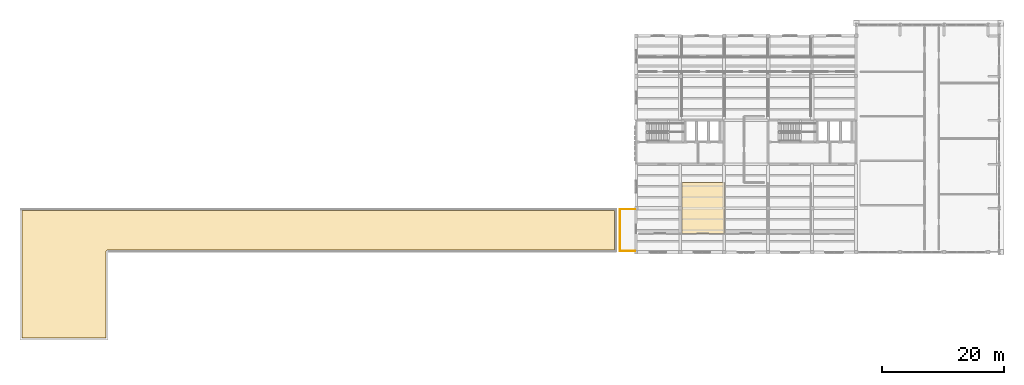
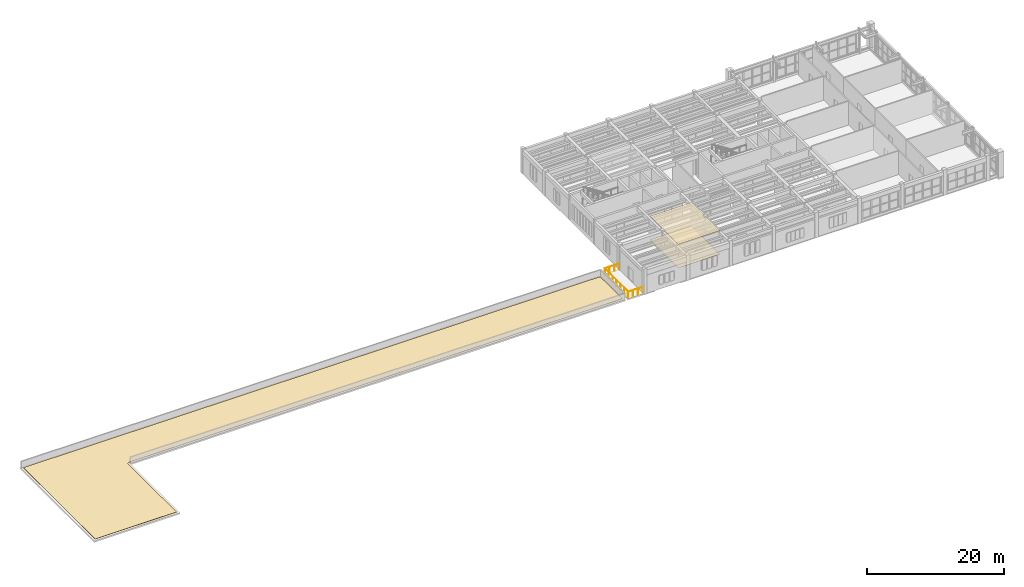
# One storey, part 16 of 18: 3 coverings, 3 railings.
"""IFC4 building model written with IfcOpenShell, lengths in metres."""

import ifcopenshell
import ifcopenshell.guid

model = None  # the IFC model being written
_history = None  # IfcOwnerHistory: only IFC2X3 demands one
_inside = {}  # id of a spatial element -> (the spatial element, [elements in it])
_under = {}  # id of a project, library or spatial element -> (it, [spatial elements below it])
_declared = {}  # id of a project -> (the project, [libraries it declares])
_typed = {}  # id of a type object -> (the type object, [elements of that type])
_made_of = {}  # id of a material, layer set ... -> (it, [elements and type objects made of it])


def new_model(schema):
    """Start an empty IFC model of exactly this schema.

    Asked for "IFC4X3", IfcOpenShell would pick the latest addendum, in which some entities
    have other attributes; the version numbers below select the first issue.
    IFC2X3 requires an IfcOwnerHistory on every rooted entity: one is made here for all.
    """
    global model, _history
    if schema == "IFC4X3":
        model = ifcopenshell.file(schema_version=(4, 3, 0, 0))
    else:
        model = ifcopenshell.file(schema=schema)
    _inside.clear()
    _under.clear()
    _declared.clear()
    _typed.clear()
    _made_of.clear()
    _history = None
    if model.schema == "IFC2X3":
        org = make("IfcOrganization", Name="unknown")
        user = make(
            "IfcPersonAndOrganization",
            ThePerson=make("IfcPerson", FamilyName="unknown"),
            TheOrganization=org,
        )
        app = make(
            "IfcApplication",
            ApplicationDeveloper=org,
            Version="unknown",
            ApplicationFullName="unknown",
            ApplicationIdentifier="unknown",
        )
        _history = make(
            "IfcOwnerHistory",
            OwningUser=user,
            OwningApplication=app,
            ChangeAction="ADDED",
            CreationDate=0,
        )
    return model


def make(cls, **values):
    """One entity of the class cls with the attributes given. An attribute that is None is left unset."""
    return model.create_entity(
        cls, **{name: value for name, value in values.items() if value is not None}
    )


def rooted(cls, **values):
    """An entity with a GlobalId (a new one), such as an element, a storey or a relation."""
    return make(cls, GlobalId=ifcopenshell.guid.new(), OwnerHistory=_history, **values)


def si_unit(unit_type, name, prefix=None):
    """IfcSIUnit, for example si_unit("LENGTHUNIT", "METRE", prefix="MILLI")."""
    return make("IfcSIUnit", UnitType=unit_type, Prefix=prefix, Name=name)


def assignment(units):
    """IfcUnitAssignment: the units of a project."""
    return None if units is None else make("IfcUnitAssignment", Units=units)


def point(xyz):
    """IfcCartesianPoint."""
    return None if xyz is None else make("IfcCartesianPoint", Coordinates=xyz)


def direction(xyz):
    """IfcDirection."""
    return None if xyz is None else make("IfcDirection", DirectionRatios=xyz)


def frame(location, z_axis=None, x_axis=None):
    """IfcAxis2Placement3D, a coordinate frame: its origin and axes. An axis left out is left unset."""
    return make(
        "IfcAxis2Placement3D",
        Location=point(location),
        Axis=direction(z_axis),
        RefDirection=direction(x_axis),
    )


def frame_2d(location, x_axis=None):
    """IfcAxis2Placement2D, a coordinate frame in the plane: its origin and x axis."""
    return make(
        "IfcAxis2Placement2D", Location=point(location), RefDirection=direction(x_axis)
    )


def origin():
    """The frame at (0, 0, 0) with its axes left unset."""
    return frame((0.0, 0.0, 0.0))


def origin_2d():
    """The frame at (0, 0) in the plane with its x axis left unset."""
    return frame_2d((0.0, 0.0))


def place(relative_to, where):
    """IfcLocalPlacement: puts the frame where relative to a parent placement (None: the world)."""
    return make(
        "IfcLocalPlacement", PlacementRelTo=relative_to, RelativePlacement=where
    )


def context(
    kind, dimensions, precision=None, world=None, true_north=None, identifier=None
):
    """IfcGeometricRepresentationContext, for example the 3D "Model" context."""
    return make(
        "IfcGeometricRepresentationContext",
        ContextIdentifier=identifier,
        ContextType=kind,
        CoordinateSpaceDimension=dimensions,
        Precision=precision,
        WorldCoordinateSystem=world,
        TrueNorth=true_north,
    )


def subcontext(parent, identifier, kind, view, scale=None):
    """IfcGeometricRepresentationSubContext, for example "Body" below "Model"."""
    return make(
        "IfcGeometricRepresentationSubContext",
        ContextIdentifier=identifier,
        ContextType=kind,
        ParentContext=parent,
        TargetScale=scale,
        TargetView=view,
    )


def project(units=None, contexts=None):
    """IfcProject with its units and contexts."""
    return rooted(
        "IfcProject",
        Name="project",
        RepresentationContexts=contexts,
        UnitsInContext=assignment(units),
    )


def spatial(cls, under=None, at=None, **own):
    """A site, building, storey or space (cls), placed at a placement, below another one or the project."""
    s = rooted(cls, ObjectPlacement=at, **own)
    if under is not None:
        _under.setdefault(under.id(), (under, []))[1].append(s)
    return s


def polyline(points):
    """IfcPolyline through the points."""
    return make("IfcPolyline", Points=[point(p) for p in points])


def profile(cls, at=None, kind="AREA", **sizes):
    """A parametric profile (cls). Its sizes go by their IFC names, for example OverallWidth=200.0."""
    return make(cls, ProfileType=kind, Position=at, **sizes)


def circle(**sizes):
    """IfcCircleProfileDef."""
    return profile("IfcCircleProfileDef", **sizes)


def outline(outer, holes=None, kind="AREA"):
    """IfcArbitraryClosedProfileDef: a profile drawn as a closed curve; with holes, ...WithVoids."""
    if holes is None:
        return make("IfcArbitraryClosedProfileDef", ProfileType=kind, OuterCurve=outer)
    return make(
        "IfcArbitraryProfileDefWithVoids",
        ProfileType=kind,
        OuterCurve=outer,
        InnerCurves=holes,
    )


def extrude(swept, where, along, depth):
    """IfcExtrudedAreaSolid: the profile swept, set in the frame where, extruded along a direction by depth."""
    return make(
        "IfcExtrudedAreaSolid",
        SweptArea=swept,
        Position=where,
        ExtrudedDirection=direction(along),
        Depth=depth,
    )


def shape(context_of_items, identifier, shape_type, items):
    """IfcShapeRepresentation: the items that make up one representation, for example the "Body"."""
    return make(
        "IfcShapeRepresentation",
        ContextOfItems=context_of_items,
        RepresentationIdentifier=identifier,
        RepresentationType=shape_type,
        Items=items,
    )


def material(Name=None, Category=None):
    """IfcMaterial."""
    return make("IfcMaterial", Name=Name, Category=Category)


def layer(
    of_material, thickness, ventilated=None, Name=None, Category=None, Priority=None
):
    """IfcMaterialLayer: one layer of a wall or slab, of a material (None: an air gap)."""
    return make(
        "IfcMaterialLayer",
        Material=of_material,
        LayerThickness=thickness,
        IsVentilated=ventilated,
        Name=Name,
        Category=Category,
        Priority=Priority,
    )


def layer_set(layers, Name=None):
    """IfcMaterialLayerSet."""
    return make("IfcMaterialLayerSet", MaterialLayers=layers, LayerSetName=Name)


def made_of(thing, what):
    """Note that an element or type object is made of a material, layer set ...; save() writes the relation."""
    if what is not None:
        _made_of.setdefault(what.id(), (what, []))[1].append(thing)
    return thing


def type_object(cls, material=None, **own):
    """A type object (cls), such as IfcWallType, which elements share."""
    return made_of(rooted(cls, **own), material)


def element(
    cls,
    number,
    at=None,
    inside=None,
    cuts=None,
    type_object=None,
    material=None,
    context=None,
    identifier="Body",
    shape_type=None,
    held_by="IfcProductDefinitionShape",
    body=None,
    shapes=None,
    **own,
):
    """One element of the class cls, such as IfcWall. Its Tag is "e" and its number.

    at: its placement. inside: the storey or other place that contains it. cuts: it is an
    opening in that element (IfcRelVoidsElement). A single representation is given by context,
    identifier, shape_type and body (its items); several are given by shapes. held_by: the class
    of the entity that holds the representations. save() writes the other relations.
    """
    e = rooted(cls, Tag="e%d" % number, ObjectPlacement=at, **own)
    if body is not None:
        shapes = [shape(context, identifier, shape_type, body)]
    if shapes is not None:
        e.Representation = make(held_by, Representations=shapes)
    if inside is not None:
        _inside.setdefault(inside.id(), (inside, []))[1].append(e)
    if cuts is not None:
        rooted(
            "IfcRelVoidsElement", RelatingBuildingElement=cuts, RelatedOpeningElement=e
        )
    if type_object is not None:
        _typed.setdefault(type_object.id(), (type_object, []))[1].append(e)
    return made_of(e, material)


def aggregate(whole, parts):
    """IfcRelAggregates: a whole, such as a stair, and the parts it consists of."""
    return rooted("IfcRelAggregates", RelatingObject=whole, RelatedObjects=parts)


def save(model, path):
    """Write the relations noted so far, then the file.

    IfcRelAggregates (storeys below a building ...), IfcRelContainedInSpatialStructure (elements
    in a storey), IfcRelDefinesByType, IfcRelAssociatesMaterial and IfcRelDeclares: one each for
    every whole, place, type object, material and project.
    """
    for whole, parts in _under.values():
        aggregate(whole, parts)
    for where, things in _inside.values():
        rooted(
            "IfcRelContainedInSpatialStructure",
            RelatedElements=things,
            RelatingStructure=where,
        )
    for kind, things in _typed.values():
        rooted("IfcRelDefinesByType", RelatedObjects=things, RelatingType=kind)
    for what, things in _made_of.values():
        rooted("IfcRelAssociatesMaterial", RelatedObjects=things, RelatingMaterial=what)
    for by, libraries in _declared.values():
        rooted("IfcRelDeclares", RelatingContext=by, RelatedDefinitions=libraries)
    model.write(path)


model = new_model("IFC4")

# Units and contexts
model_context = context("Model", 3, precision=1e-05, world=origin(), true_north=direction((0.0, 1.0)))
body_context = subcontext(model_context, "Body", "Model", "MODEL_VIEW")
ifc_project = project(units=[si_unit("LENGTHUNIT", "METRE"), si_unit("AREAUNIT", "SQUARE_METRE"), si_unit("VOLUMEUNIT", "CUBIC_METRE"), si_unit("PLANEANGLEUNIT", "RADIAN"), si_unit("MASSUNIT", "GRAM", prefix="KILO")], contexts=[model_context])

# Site, building, storey
site_placement = place(None, origin())
site = spatial("IfcSite", under=ifc_project, at=site_placement, CompositionType="ELEMENT")
building_placement = place(site_placement, origin())
building = spatial("IfcBuilding", under=site, at=building_placement, Name="Mithqara Police Headquarters", CompositionType="ELEMENT")
storey_placement = place(building_placement, frame((0.0, 0.0, 26.39990234375)))
storey = spatial("IfcBuildingStorey", under=building, at=storey_placement, Name="L06", CompositionType="ELEMENT", Elevation=26.39990234375)

# Covering
ifc_material_1 = material(Name="Acoustic mineral-fibre ceiling tile", Category="gypsum")
ifc_layer_1 = layer(ifc_material_1, 0.02490234375, Name="Acoustic mineral-fibre ceiling tile")
ifc_layer_set_1 = layer_set([ifc_layer_1], Name="Acoustic mineral-fibre ceiling tile")
covering_type_1 = type_object("IfcCoveringType", Name="ACOUSTIC CEILING TILE", PredefinedType="CEILING", material=ifc_layer_set_1)
covering_1_placement = place(storey_placement, frame((0.0, 0.0, 4.195068359375)))
element("IfcCovering", 1, at=covering_1_placement, inside=storey, type_object=covering_type_1, Name="Radio Cryptography Server Room Acoustic Ceiling", PredefinedType="CEILING", context=body_context, shape_type="SweptSolid", body=[
    extrude(outline(polyline([(116.072021484375, 81.659912109375), (123.06396484375, 81.659912109375), (123.06396484375, 89.97998046875), (116.072021484375, 89.97998046875), (116.072021484375, 81.659912109375)])), origin(), (0.0, 0.0, 1.0), 0.025146484375),
])

# Railings
ifc_material_2 = material(Name="Bronze anodised aluminium 6063-T6", Category="aluminium")
railing_type = type_object("IfcRailingType", Name="GUARD BALUSTRADE1120", PredefinedType="BALUSTRADE", material=ifc_material_2)
for number, where, name in (
    (2, (105.97998046875, 78.780029296875, 0.0), "L06 Terrace Balustrade TER-L06-W-S"),
    (3, (105.97998046875, 85.6201171875, 0.0), "L06 Terrace Balustrade TER-L06-W-N"),
):
    element("IfcRailing", number, at=place(storey_placement, frame(where)), inside=storey, type_object=railing_type, Name=name, PredefinedType="BALUSTRADE", context=body_context, shape_type="SweptSolid", body=[
        extrude(circle(Radius=0.02392578125, at=origin_2d()), frame((0.0, 0.0, 1.09619140625), z_axis=(1.0, 0.0, 0.0), x_axis=(0.0, 1.0, 0.0)), (0.0, 0.0, 1.0), 2.43994140625),
        extrude(circle(Radius=0.02099609375, at=origin_2d()), origin(), (0.0, 0.0, 1.0), 1.072021484375),
        extrude(circle(Radius=0.02099609375, at=origin_2d()), frame((0.813232421875, 0.0, 0.0)), (0.0, 0.0, 1.0), 1.072021484375),
        extrude(circle(Radius=0.02099609375, at=origin_2d()), frame((1.626708984375, 0.0, 0.0)), (0.0, 0.0, 1.0), 1.072021484375),
        extrude(circle(Radius=0.02099609375, at=origin_2d()), frame((2.43994140625, 0.0, 0.0)), (0.0, 0.0, 1.0), 1.072021484375),
    ])
railing_placement = place(storey_placement, frame((105.97998046875, 78.840087890625, 0.0)))
element("IfcRailing", 4, at=railing_placement, inside=storey, type_object=railing_type, Name="L06 Terrace Balustrade TER-L06-W-W", PredefinedType="BALUSTRADE", context=body_context, shape_type="SweptSolid", body=[
    extrude(circle(Radius=0.02392578125, at=origin_2d()), frame((0.0, 0.0, 1.09619140625), z_axis=(0.0, 1.0, 0.0), x_axis=(-1.0, 0.0, 0.0)), (0.0, 0.0, 1.0), 6.719970703125),
    extrude(circle(Radius=0.02099609375, at=origin_2d()), origin(), (0.0, 0.0, 1.0), 1.072021484375),
    extrude(circle(Radius=0.02099609375, at=origin_2d()), frame((0.0, 1.1201171875, 0.0)), (0.0, 0.0, 1.0), 1.072021484375),
    extrude(circle(Radius=0.02099609375, at=origin_2d()), frame((0.0, 2.239990234375, 0.0)), (0.0, 0.0, 1.0), 1.072021484375),
    extrude(circle(Radius=0.02099609375, at=origin_2d()), frame((0.0, 3.35986328125, 0.0)), (0.0, 0.0, 1.0), 1.072021484375),
    extrude(circle(Radius=0.02099609375, at=origin_2d()), frame((0.0, 4.47998046875, 0.0)), (0.0, 0.0, 1.0), 1.072021484375),
    extrude(circle(Radius=0.02099609375, at=origin_2d()), frame((0.0, 5.60009765625, 0.0)), (0.0, 0.0, 1.0), 1.072021484375),
    extrude(circle(Radius=0.02099609375, at=origin_2d()), frame((0.0, 6.719970703125, 0.0)), (0.0, 0.0, 1.0), 1.072021484375),
])

# Coverings
ifc_material_3 = material(Name="Standing seam zinc-aluminium roofing", Category="aluminium")
ifc_layer_2 = layer(ifc_material_3, 0.0400390625, Name="Standing seam zinc-aluminium roofing")
ifc_layer_set_2 = layer_set([ifc_layer_2], Name="Standing seam zinc-aluminium roofing")
covering_type_2 = type_object("IfcCoveringType", Name="STANDING SEAM ROOFING", PredefinedType="ROOFING", material=ifc_layer_set_2)
covering_2_placement = place(storey_placement, origin())
element("IfcCovering", 5, at=covering_2_placement, inside=storey, type_object=covering_type_2, Name="L06 Insulated Roof Waterproofing ROOF-L05-00", PredefinedType="ROOFING", context=body_context, shape_type="SweptSolid", body=[
    extrude(outline(polyline([(8.14990234375, 85.449951171875), (105.10009765625, 85.449951171875), (105.10009765625, 78.949951171875), (22.199951171875, 78.949951171875), (22.165771484375, 78.9482421875), (22.131591796875, 78.943359375), (22.098388671875, 78.934814453125), (22.066162109375, 78.92333984375), (22.034912109375, 78.90869140625), (22.005615234375, 78.89111328125), (21.97802734375, 78.87060546875), (21.952392578125, 78.847412109375), (21.929443359375, 78.822021484375), (21.908935546875, 78.79443359375), (21.891357421875, 78.764892578125), (21.876708984375, 78.73388671875), (21.864990234375, 78.70166015625), (21.856689453125, 78.668212890625), (21.851806640625, 78.63427734375), (21.85009765625, 78.60009765625), (21.85009765625, 64.550048828125), (8.14990234375, 64.550048828125), (8.14990234375, 85.449951171875)])), origin(), (0.0, 0.0, 1.0), 0.0400390625),
])
ifc_material_4 = material(Name="Polished limestone terrazzo flooring", Category="masonry")
ifc_layer_3 = layer(ifc_material_4, 0.02001953125, Name="Polished limestone terrazzo flooring")
ifc_layer_set_3 = layer_set([ifc_layer_3], Name="Polished limestone terrazzo flooring")
covering_type_3 = type_object("IfcCoveringType", Name="TERRAZZO FLOOR FINISH", PredefinedType="FLOORING", material=ifc_layer_set_3)
covering_3_placement = place(storey_placement, origin())
element("IfcCovering", 6, at=covering_3_placement, inside=storey, type_object=covering_type_3, Name="Radio Cryptography Server Room Terrazzo Floor Finish", PredefinedType="FLOORING", context=body_context, shape_type="SweptSolid", body=[
    extrude(outline(polyline([(116.072021484375, 81.659912109375), (123.06396484375, 81.659912109375), (123.06396484375, 89.97998046875), (116.072021484375, 89.97998046875), (116.072021484375, 81.659912109375)])), origin(), (0.0, 0.0, 1.0), 0.02001953125),
])

save(model, "model.ifc")
